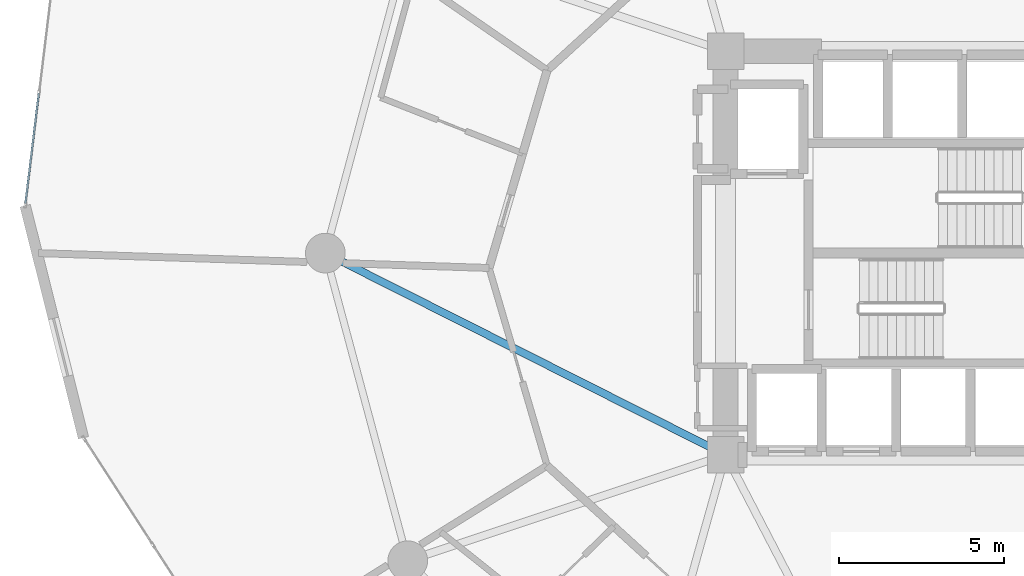
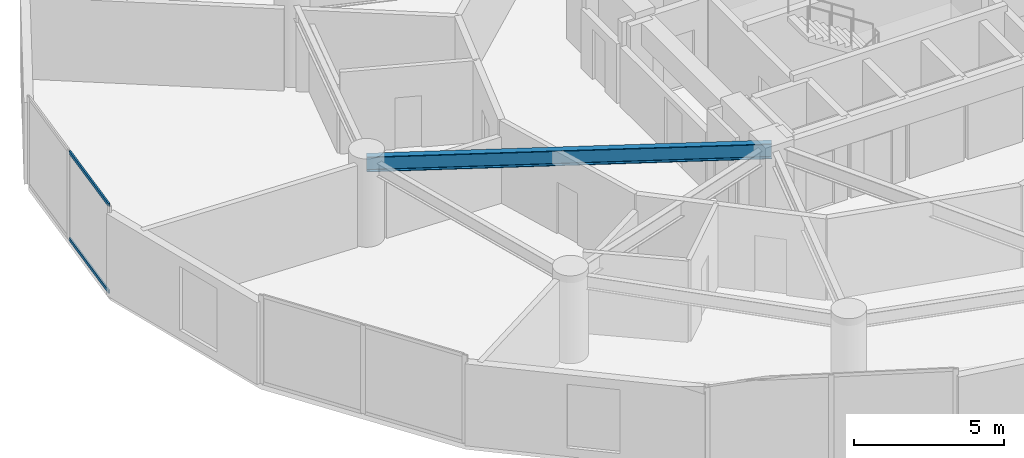
# One storey, part 7 of 26: 2 members, 1 beam, 1 element without a shape of its own.
"""IFC4 building model written with IfcOpenShell, lengths in metres."""

from ifc_helpers import new_model, si_unit, direction, frame, origin, origin_2d, place, context, subcontext, project, spatial, hollow_rectangle, i_section, extrude, source, transform, mapped, material, layer, layer_set, material_profile, profile_set, type_object, element, aggregate, save


model = new_model("IFC4")

# Units and contexts
model_context = context("Model", 3, precision=1e-05, world=origin(), true_north=direction((0.0, 1.0)))
body_context = subcontext(model_context, "Body", "Model", "MODEL_VIEW")
ifc_project = project(units=[si_unit("LENGTHUNIT", "METRE"), si_unit("AREAUNIT", "SQUARE_METRE"), si_unit("VOLUMEUNIT", "CUBIC_METRE"), si_unit("PLANEANGLEUNIT", "RADIAN"), si_unit("MASSUNIT", "GRAM", prefix="KILO")], contexts=[model_context])

# Site, building, storey
site_placement = place(None, origin())
site = spatial("IfcSite", under=ifc_project, at=site_placement, CompositionType="ELEMENT")
building_placement = place(site_placement, origin())
building = spatial("IfcBuilding", under=site, at=building_placement, Name="Solvirekh Grand Hotel", CompositionType="ELEMENT")
storey_placement = place(building_placement, frame((0.0, 0.0, 68.0)))
storey = spatial("IfcBuildingStorey", under=building, at=storey_placement, Name="L16", CompositionType="ELEMENT", Elevation=68.0)

# Beam
ifc_material_1 = material(Name="Steel S355", Category="steel")
ifc_material_profile_1 = material_profile(ifc_material_1, i_section(OverallWidth=0.22998046875, OverallDepth=0.615966796875, WebThickness=0.013916015625, FlangeThickness=0.02392578125, FilletRadius=0.014892578125, at=origin_2d()), Name="W610X174")
ifc_profile_set_1 = profile_set([ifc_material_profile_1], Name="Steel S355")
beam_type = type_object("IfcBeamType", Name="Beam_Primary_W610H", PredefinedType="BEAM", material=ifc_profile_set_1)
beam_placement = place(storey_placement, frame((-6.5, -6.10009765625, 3.031982421875), z_axis=(-0.892944939011, 0.450165898191, 0.0), x_axis=(-0.450165898191, -0.892944939011, 0.0)))
element("IfcBeam", 1, at=beam_placement, inside=storey, type_object=beam_type, Name="L16 radial floor beam R07", PredefinedType="BEAM", context=body_context, shape_type="SweptSolid", body=[
    extrude(i_section(OverallWidth=0.22998046875, OverallDepth=0.615966796875, WebThickness=0.013916015625, FlangeThickness=0.02392578125, FilletRadius=0.014892578125, at=origin_2d()), origin(), (0.0, 0.0, 1.0), 13.55078125),
])

# Curtain wall, members
ifc_material_2 = material(Name="Anodized Bronze Aluminium 6063-T6", Category="aluminium")
ifc_layer = layer(ifc_material_2, 0.18994140625)
ifc_layer_set = layer_set([ifc_layer], Name="Anodized Bronze Aluminium 6063-T6")
curtain_wall_type = type_object("IfcCurtainWallType", Name="CW_Sys2_LowZoneFlushBronzeCW", PredefinedType="NOTDEFINED", material=ifc_layer_set)
curtain_wall_placement = place(storey_placement, origin())
curtain_wall = element("IfcCurtainWall", 2, at=curtain_wall_placement, inside=storey, type_object=curtain_wall_type, Name="L16 unitised bronze-glass curtain wall CW-L16-C11", PredefinedType="NOTDEFINED")
ifc_material_profile_2 = material_profile(ifc_material_2, hollow_rectangle(XDim=0.06005859375, YDim=0.135009765625, WallThickness=0.00390625, at=origin_2d()), Name="ALU RHS 135X60X4")
ifc_profile_set_2 = profile_set([ifc_material_profile_2], Name="Anodized Bronze Aluminium 6063-T6")
member_type = type_object("IfcMemberType", Name="CWTransom_Sys2", PredefinedType="USERDEFINED", material=ifc_profile_set_2)
shared_shape = source(origin(), body_context, "Body", "SweptSolid", [
    extrude(hollow_rectangle(XDim=0.06005859375, YDim=0.135009765625, WallThickness=0.00390625, at=origin_2d()), origin(), (0.0, 0.0, 1.0), 3.358154296875),
])
member_1_placement = place(storey_placement, frame((-27.26171875, 4.835205078125, 0.030029296875), z_axis=(-0.120535449363, -0.992709023555, 0.0), x_axis=(0.992709023555, -0.120535449363, 0.0)))
member_1 = element("IfcMember", 3, at=member_1_placement, type_object=member_type, Name="U02 transom 2.1", ObjectType="TRANSOM", PredefinedType="USERDEFINED", context=body_context, shape_type="MappedRepresentation", body=[
    mapped(shared_shape, transform((0.0, 0.0, 0.0), x_axis=(1.0, 0.0, 0.0), y_axis=(0.0, 1.0, 0.0), z_axis=(0.0, 0.0, 1.0), scale=1.0)),
])
member_2_placement = place(storey_placement, frame((-27.26171875, 4.835205078125, 3.570068359375), z_axis=(-0.120535449363, -0.992709023555, 0.0), x_axis=(0.992709023555, -0.120535449363, 0.0)))
member_2 = element("IfcMember", 4, at=member_2_placement, type_object=member_type, Name="U02 transom 2.2", ObjectType="TRANSOM", PredefinedType="USERDEFINED", context=body_context, shape_type="MappedRepresentation", body=[
    mapped(shared_shape, transform((0.0, 0.0, 0.0), x_axis=(1.0, 0.0, 0.0), y_axis=(0.0, 1.0, 0.0), z_axis=(0.0, 0.0, 1.0), scale=1.0)),
])
aggregate(curtain_wall, [member_1, member_2])

save(model, "model.ifc")
